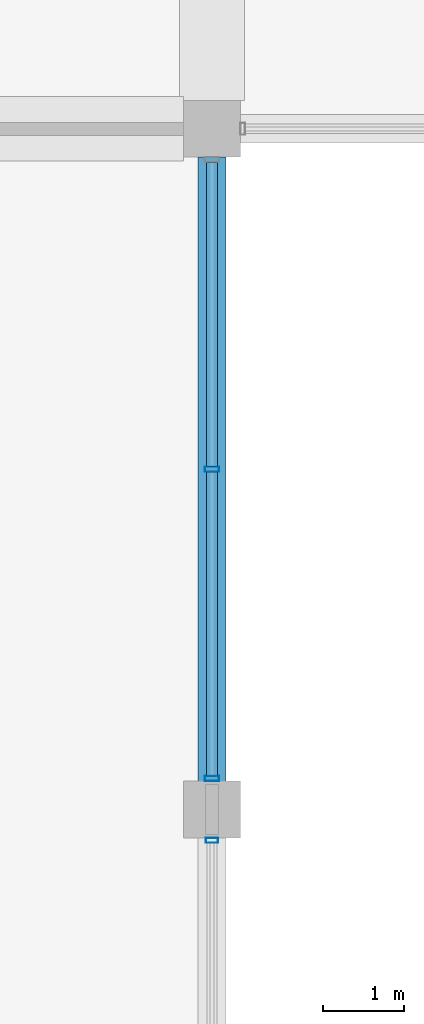
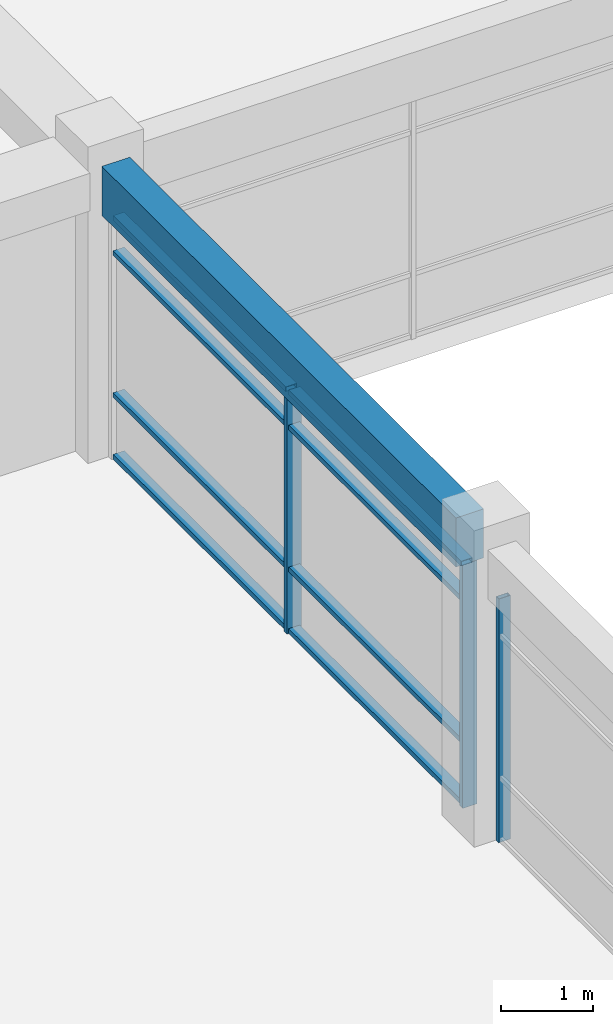
# One storey, part 9 of 53: 11 members, 1 beam, 2 elements without a shape of their own.
"""IFC4 building model written with IfcOpenShell, lengths in metres."""

import ifcopenshell
import ifcopenshell.guid

model = None  # the IFC model being written
_history = None  # IfcOwnerHistory: only IFC2X3 demands one
_inside = {}  # id of a spatial element -> (the spatial element, [elements in it])
_under = {}  # id of a project, library or spatial element -> (it, [spatial elements below it])
_declared = {}  # id of a project -> (the project, [libraries it declares])
_typed = {}  # id of a type object -> (the type object, [elements of that type])
_made_of = {}  # id of a material, layer set ... -> (it, [elements and type objects made of it])


def new_model(schema):
    """Start an empty IFC model of exactly this schema.

    Asked for "IFC4X3", IfcOpenShell would pick the latest addendum, in which some entities
    have other attributes; the version numbers below select the first issue.
    IFC2X3 requires an IfcOwnerHistory on every rooted entity: one is made here for all.
    """
    global model, _history
    if schema == "IFC4X3":
        model = ifcopenshell.file(schema_version=(4, 3, 0, 0))
    else:
        model = ifcopenshell.file(schema=schema)
    _inside.clear()
    _under.clear()
    _declared.clear()
    _typed.clear()
    _made_of.clear()
    _history = None
    if model.schema == "IFC2X3":
        org = make("IfcOrganization", Name="unknown")
        user = make(
            "IfcPersonAndOrganization",
            ThePerson=make("IfcPerson", FamilyName="unknown"),
            TheOrganization=org,
        )
        app = make(
            "IfcApplication",
            ApplicationDeveloper=org,
            Version="unknown",
            ApplicationFullName="unknown",
            ApplicationIdentifier="unknown",
        )
        _history = make(
            "IfcOwnerHistory",
            OwningUser=user,
            OwningApplication=app,
            ChangeAction="ADDED",
            CreationDate=0,
        )
    return model


def make(cls, **values):
    """One entity of the class cls with the attributes given. An attribute that is None is left unset."""
    return model.create_entity(
        cls, **{name: value for name, value in values.items() if value is not None}
    )


def rooted(cls, **values):
    """An entity with a GlobalId (a new one), such as an element, a storey or a relation."""
    return make(cls, GlobalId=ifcopenshell.guid.new(), OwnerHistory=_history, **values)


def si_unit(unit_type, name, prefix=None):
    """IfcSIUnit, for example si_unit("LENGTHUNIT", "METRE", prefix="MILLI")."""
    return make("IfcSIUnit", UnitType=unit_type, Prefix=prefix, Name=name)


def assignment(units):
    """IfcUnitAssignment: the units of a project."""
    return None if units is None else make("IfcUnitAssignment", Units=units)


def point(xyz):
    """IfcCartesianPoint."""
    return None if xyz is None else make("IfcCartesianPoint", Coordinates=xyz)


def direction(xyz):
    """IfcDirection."""
    return None if xyz is None else make("IfcDirection", DirectionRatios=xyz)


def frame(location, z_axis=None, x_axis=None):
    """IfcAxis2Placement3D, a coordinate frame: its origin and axes. An axis left out is left unset."""
    return make(
        "IfcAxis2Placement3D",
        Location=point(location),
        Axis=direction(z_axis),
        RefDirection=direction(x_axis),
    )


def frame_2d(location, x_axis=None):
    """IfcAxis2Placement2D, a coordinate frame in the plane: its origin and x axis."""
    return make(
        "IfcAxis2Placement2D", Location=point(location), RefDirection=direction(x_axis)
    )


def origin():
    """The frame at (0, 0, 0) with its axes left unset."""
    return frame((0.0, 0.0, 0.0))


def origin_2d():
    """The frame at (0, 0) in the plane with its x axis left unset."""
    return frame_2d((0.0, 0.0))


def place(relative_to, where):
    """IfcLocalPlacement: puts the frame where relative to a parent placement (None: the world)."""
    return make(
        "IfcLocalPlacement", PlacementRelTo=relative_to, RelativePlacement=where
    )


def context(
    kind, dimensions, precision=None, world=None, true_north=None, identifier=None
):
    """IfcGeometricRepresentationContext, for example the 3D "Model" context."""
    return make(
        "IfcGeometricRepresentationContext",
        ContextIdentifier=identifier,
        ContextType=kind,
        CoordinateSpaceDimension=dimensions,
        Precision=precision,
        WorldCoordinateSystem=world,
        TrueNorth=true_north,
    )


def subcontext(parent, identifier, kind, view, scale=None):
    """IfcGeometricRepresentationSubContext, for example "Body" below "Model"."""
    return make(
        "IfcGeometricRepresentationSubContext",
        ContextIdentifier=identifier,
        ContextType=kind,
        ParentContext=parent,
        TargetScale=scale,
        TargetView=view,
    )


def project(units=None, contexts=None):
    """IfcProject with its units and contexts."""
    return rooted(
        "IfcProject",
        Name="project",
        RepresentationContexts=contexts,
        UnitsInContext=assignment(units),
    )


def spatial(cls, under=None, at=None, **own):
    """A site, building, storey or space (cls), placed at a placement, below another one or the project."""
    s = rooted(cls, ObjectPlacement=at, **own)
    if under is not None:
        _under.setdefault(under.id(), (under, []))[1].append(s)
    return s


def profile(cls, at=None, kind="AREA", **sizes):
    """A parametric profile (cls). Its sizes go by their IFC names, for example OverallWidth=200.0."""
    return make(cls, ProfileType=kind, Position=at, **sizes)


def rectangle(**sizes):
    """IfcRectangleProfileDef."""
    return profile("IfcRectangleProfileDef", **sizes)


def hollow_rectangle(**sizes):
    """IfcRectangleHollowProfileDef."""
    return profile("IfcRectangleHollowProfileDef", **sizes)


def extrude(swept, where, along, depth):
    """IfcExtrudedAreaSolid: the profile swept, set in the frame where, extruded along a direction by depth."""
    return make(
        "IfcExtrudedAreaSolid",
        SweptArea=swept,
        Position=where,
        ExtrudedDirection=direction(along),
        Depth=depth,
    )


def shape(context_of_items, identifier, shape_type, items):
    """IfcShapeRepresentation: the items that make up one representation, for example the "Body"."""
    return make(
        "IfcShapeRepresentation",
        ContextOfItems=context_of_items,
        RepresentationIdentifier=identifier,
        RepresentationType=shape_type,
        Items=items,
    )


def material(Name=None, Category=None):
    """IfcMaterial."""
    return make("IfcMaterial", Name=Name, Category=Category)


def material_profile(
    of_material, cross_section, Name=None, Category=None, Priority=None
):
    """IfcMaterialProfile: a cross section and its material."""
    return make(
        "IfcMaterialProfile",
        Name=Name,
        Material=of_material,
        Profile=cross_section,
        Priority=Priority,
        Category=Category,
    )


def profile_set(profiles, Name=None, composite=None):
    """IfcMaterialProfileSet."""
    return make(
        "IfcMaterialProfileSet",
        Name=Name,
        MaterialProfiles=profiles,
        CompositeProfile=composite,
    )


def made_of(thing, what):
    """Note that an element or type object is made of a material, layer set ...; save() writes the relation."""
    if what is not None:
        _made_of.setdefault(what.id(), (what, []))[1].append(thing)
    return thing


def type_object(cls, material=None, **own):
    """A type object (cls), such as IfcWallType, which elements share."""
    return made_of(rooted(cls, **own), material)


def element(
    cls,
    number,
    at=None,
    inside=None,
    cuts=None,
    type_object=None,
    material=None,
    context=None,
    identifier="Body",
    shape_type=None,
    held_by="IfcProductDefinitionShape",
    body=None,
    shapes=None,
    **own,
):
    """One element of the class cls, such as IfcWall. Its Tag is "e" and its number.

    at: its placement. inside: the storey or other place that contains it. cuts: it is an
    opening in that element (IfcRelVoidsElement). A single representation is given by context,
    identifier, shape_type and body (its items); several are given by shapes. held_by: the class
    of the entity that holds the representations. save() writes the other relations.
    """
    e = rooted(cls, Tag="e%d" % number, ObjectPlacement=at, **own)
    if body is not None:
        shapes = [shape(context, identifier, shape_type, body)]
    if shapes is not None:
        e.Representation = make(held_by, Representations=shapes)
    if inside is not None:
        _inside.setdefault(inside.id(), (inside, []))[1].append(e)
    if cuts is not None:
        rooted(
            "IfcRelVoidsElement", RelatingBuildingElement=cuts, RelatedOpeningElement=e
        )
    if type_object is not None:
        _typed.setdefault(type_object.id(), (type_object, []))[1].append(e)
    return made_of(e, material)


def aggregate(whole, parts):
    """IfcRelAggregates: a whole, such as a stair, and the parts it consists of."""
    return rooted("IfcRelAggregates", RelatingObject=whole, RelatedObjects=parts)


def save(model, path):
    """Write the relations noted so far, then the file.

    IfcRelAggregates (storeys below a building ...), IfcRelContainedInSpatialStructure (elements
    in a storey), IfcRelDefinesByType, IfcRelAssociatesMaterial and IfcRelDeclares: one each for
    every whole, place, type object, material and project.
    """
    for whole, parts in _under.values():
        aggregate(whole, parts)
    for where, things in _inside.values():
        rooted(
            "IfcRelContainedInSpatialStructure",
            RelatedElements=things,
            RelatingStructure=where,
        )
    for kind, things in _typed.values():
        rooted("IfcRelDefinesByType", RelatedObjects=things, RelatingType=kind)
    for what, things in _made_of.values():
        rooted("IfcRelAssociatesMaterial", RelatedObjects=things, RelatingMaterial=what)
    for by, libraries in _declared.values():
        rooted("IfcRelDeclares", RelatingContext=by, RelatedDefinitions=libraries)
    model.write(path)


model = new_model("IFC4")

# Units and contexts
model_context = context("Model", 3, precision=1e-05, world=origin(), true_north=direction((0.0, 1.0)))
body_context = subcontext(model_context, "Body", "Model", "MODEL_VIEW")
ifc_project = project(units=[si_unit("LENGTHUNIT", "METRE"), si_unit("AREAUNIT", "SQUARE_METRE"), si_unit("VOLUMEUNIT", "CUBIC_METRE"), si_unit("PLANEANGLEUNIT", "RADIAN"), si_unit("MASSUNIT", "GRAM", prefix="KILO"), si_unit("THERMODYNAMICTEMPERATUREUNIT", "KELVIN"), si_unit("POWERUNIT", "WATT")], contexts=[model_context])

# Site, building, storey
site_placement = place(None, origin())
site = spatial("IfcSite", under=ifc_project, at=site_placement, CompositionType="ELEMENT")
building_placement = place(site_placement, origin())
building = spatial("IfcBuilding", under=site, at=building_placement, Name="Srebrne Nadtorze General Hospital", CompositionType="ELEMENT")
storey_placement = place(building_placement, frame((0.0, 0.0, 18.0)))
storey = spatial("IfcBuildingStorey", under=building, at=storey_placement, Name="L04", CompositionType="ELEMENT", Elevation=18.0)

# Curtain wall, member
ifc_material_1 = material(Name="Anodised Aluminium", Category="aluminium")
curtain_wall_type = type_object("IfcCurtainWallType", Name="Unitised curtain wall 7700x3235", PredefinedType="NOTDEFINED", material=ifc_material_1)
curtain_wall_1_placement = place(storey_placement, origin())
curtain_wall_1 = element("IfcCurtainWall", 1, at=curtain_wall_1_placement, inside=storey, type_object=curtain_wall_type, Name="Curtain wall CW-110", PredefinedType="NOTDEFINED")
ifc_material_2 = material(Name="Anodised Aluminium", Category="aluminium")
ifc_material_profile_1 = material_profile(ifc_material_2, hollow_rectangle(XDim=0.06005859375, YDim=0.14990234375, WallThickness=0.00390625, at=origin_2d()), Name="AL-MUL-60x150")
ifc_profile_set_1 = profile_set([ifc_material_profile_1], Name="Anodised Aluminium")
member_type_1 = type_object("IfcMemberType", Name="Curtain mullion 60x150", PredefinedType="MULLION", material=ifc_profile_set_1)
member_1_placement = place(storey_placement, frame((117.0, 16.419921875, 0.0), z_axis=(0.0, 0.0, 1.0), x_axis=(0.0, 1.0, 0.0)))
member_1 = element("IfcMember", 2, at=member_1_placement, type_object=member_type_1, Name="CW-110 mullion 3", PredefinedType="MULLION", context=body_context, shape_type="SweptSolid", body=[
    extrude(hollow_rectangle(XDim=0.06005859375, YDim=0.14990234375, WallThickness=0.00390625, at=origin_2d()), origin(), (0.0, 0.0, 1.0), 3.235107421875),
])
aggregate(curtain_wall_1, [member_1])

# Curtain wall, members
curtain_wall_2_placement = place(storey_placement, origin())
curtain_wall_2 = element("IfcCurtainWall", 3, at=curtain_wall_2_placement, inside=storey, type_object=curtain_wall_type, Name="Curtain wall CW-111", PredefinedType="NOTDEFINED")
ifc_material_3 = material(Name="Anodised Aluminium", Category="aluminium")
ifc_material_profile_2 = material_profile(ifc_material_3, hollow_rectangle(XDim=0.06494140625, YDim=0.179931640625, WallThickness=0.00390625, at=origin_2d()), Name="AL-MUL-65x180")
ifc_profile_set_2 = profile_set([ifc_material_profile_2], Name="Anodised Aluminium")
member_type_2 = type_object("IfcMemberType", Name="Curtain mullion 65x180", PredefinedType="MULLION", material=ifc_profile_set_2)
member_2_placement = place(storey_placement, frame((117.0, 17.1826171875, 0.0), z_axis=(0.0, 0.0, 1.0), x_axis=(0.0, 1.0, 0.0)))
member_2 = element("IfcMember", 4, at=member_2_placement, type_object=member_type_2, Name="CW-111 mullion 1", PredefinedType="MULLION", context=body_context, shape_type="SweptSolid", body=[
    extrude(hollow_rectangle(XDim=0.06494140625, YDim=0.179931640625, WallThickness=0.00390625, at=origin_2d()), origin(), (0.0, 0.0, 1.0), 3.235107421875),
])
member_3_placement = place(storey_placement, frame((117.0, 21.0, 0.0), z_axis=(0.0, 0.0, 1.0), x_axis=(0.0, 1.0, 0.0)))
member_3 = element("IfcMember", 5, at=member_3_placement, type_object=member_type_2, Name="CW-111 mullion 2", PredefinedType="MULLION", context=body_context, shape_type="SweptSolid", body=[
    extrude(hollow_rectangle(XDim=0.06494140625, YDim=0.179931640625, WallThickness=0.00390625, at=origin_2d()), origin(), (0.0, 0.0, 1.0), 3.235107421875),
])
ifc_material_4 = material(Name="Anodised Aluminium", Category="aluminium")
ifc_material_profile_3 = material_profile(ifc_material_4, hollow_rectangle(XDim=0.06494140625, YDim=0.139892578125, WallThickness=0.00390625, at=origin_2d()), Name="AL-TRN-65x140")
ifc_profile_set_3 = profile_set([ifc_material_profile_3], Name="Anodised Aluminium")
member_type_3 = type_object("IfcMemberType", Name="Curtain transom 65x140", PredefinedType="USERDEFINED", material=ifc_profile_set_3)
member_4_placement = place(storey_placement, frame((117.0, 17.215087890625, 0.032470703125), z_axis=(0.0, 1.0, 0.0), x_axis=(0.0, 0.0, 1.0)))
member_4 = element("IfcMember", 6, at=member_4_placement, type_object=member_type_3, Name="CW-111 transom 1.1", ObjectType="TRANSOM", PredefinedType="USERDEFINED", context=body_context, shape_type="SweptSolid", body=[
    extrude(hollow_rectangle(XDim=0.06494140625, YDim=0.139892578125, WallThickness=0.00390625, at=origin_2d()), origin(), (0.0, 0.0, 1.0), 3.75244140625),
])
member_5_placement = place(storey_placement, frame((117.0, 17.215087890625, 0.85009765625), z_axis=(0.0, 1.0, 0.0), x_axis=(0.0, 0.0, 1.0)))
member_5 = element("IfcMember", 7, at=member_5_placement, type_object=member_type_3, Name="CW-111 transom 1.2", ObjectType="TRANSOM", PredefinedType="USERDEFINED", context=body_context, shape_type="SweptSolid", body=[
    extrude(hollow_rectangle(XDim=0.06494140625, YDim=0.139892578125, WallThickness=0.00390625, at=origin_2d()), origin(), (0.0, 0.0, 1.0), 3.75244140625),
])
member_6_placement = place(storey_placement, frame((117.0, 17.215087890625, 2.735107421875), z_axis=(0.0, 1.0, 0.0), x_axis=(0.0, 0.0, 1.0)))
member_6 = element("IfcMember", 8, at=member_6_placement, type_object=member_type_3, Name="CW-111 transom 1.3", ObjectType="TRANSOM", PredefinedType="USERDEFINED", context=body_context, shape_type="SweptSolid", body=[
    extrude(hollow_rectangle(XDim=0.06494140625, YDim=0.139892578125, WallThickness=0.00390625, at=origin_2d()), origin(), (0.0, 0.0, 1.0), 3.75244140625),
])
member_7_placement = place(storey_placement, frame((117.0, 17.215087890625, 3.202392578125), z_axis=(0.0, 1.0, 0.0), x_axis=(0.0, 0.0, 1.0)))
member_7 = element("IfcMember", 9, at=member_7_placement, type_object=member_type_3, Name="CW-111 transom 1.4", ObjectType="TRANSOM", PredefinedType="USERDEFINED", context=body_context, shape_type="SweptSolid", body=[
    extrude(hollow_rectangle(XDim=0.06494140625, YDim=0.139892578125, WallThickness=0.00390625, at=origin_2d()), origin(), (0.0, 0.0, 1.0), 3.75244140625),
])
member_8_placement = place(storey_placement, frame((117.0, 21.032470703125, 0.032470703125), z_axis=(0.0, 1.0, 0.0), x_axis=(0.0, 0.0, 1.0)))
member_8 = element("IfcMember", 10, at=member_8_placement, type_object=member_type_3, Name="CW-111 transom 2.1", ObjectType="TRANSOM", PredefinedType="USERDEFINED", context=body_context, shape_type="SweptSolid", body=[
    extrude(hollow_rectangle(XDim=0.06494140625, YDim=0.139892578125, WallThickness=0.00390625, at=origin_2d()), origin(), (0.0, 0.0, 1.0), 3.75244140625),
])
member_9_placement = place(storey_placement, frame((117.0, 21.032470703125, 0.85009765625), z_axis=(0.0, 1.0, 0.0), x_axis=(0.0, 0.0, 1.0)))
member_9 = element("IfcMember", 11, at=member_9_placement, type_object=member_type_3, Name="CW-111 transom 2.2", ObjectType="TRANSOM", PredefinedType="USERDEFINED", context=body_context, shape_type="SweptSolid", body=[
    extrude(hollow_rectangle(XDim=0.06494140625, YDim=0.139892578125, WallThickness=0.00390625, at=origin_2d()), origin(), (0.0, 0.0, 1.0), 3.75244140625),
])
member_10_placement = place(storey_placement, frame((117.0, 21.032470703125, 2.735107421875), z_axis=(0.0, 1.0, 0.0), x_axis=(0.0, 0.0, 1.0)))
member_10 = element("IfcMember", 12, at=member_10_placement, type_object=member_type_3, Name="CW-111 transom 2.3", ObjectType="TRANSOM", PredefinedType="USERDEFINED", context=body_context, shape_type="SweptSolid", body=[
    extrude(hollow_rectangle(XDim=0.06494140625, YDim=0.139892578125, WallThickness=0.00390625, at=origin_2d()), origin(), (0.0, 0.0, 1.0), 3.75244140625),
])
member_11_placement = place(storey_placement, frame((117.0, 21.032470703125, 3.202392578125), z_axis=(0.0, 1.0, 0.0), x_axis=(0.0, 0.0, 1.0)))
member_11 = element("IfcMember", 13, at=member_11_placement, type_object=member_type_3, Name="CW-111 transom 2.4", ObjectType="TRANSOM", PredefinedType="USERDEFINED", context=body_context, shape_type="SweptSolid", body=[
    extrude(hollow_rectangle(XDim=0.06494140625, YDim=0.139892578125, WallThickness=0.00390625, at=origin_2d()), origin(), (0.0, 0.0, 1.0), 3.75244140625),
])
aggregate(curtain_wall_2, [member_2, member_3, member_4, member_5, member_6, member_7, member_8, member_9, member_10, member_11])

# Beam
ifc_material_5 = material(Name="Concrete C35/45", Category="concrete")
ifc_material_profile_4 = material_profile(ifc_material_5, rectangle(XDim=0.35009765625, YDim=0.64990234375, at=origin_2d()), Name="RC-BM-350x650")
ifc_profile_set_4 = profile_set([ifc_material_profile_4], Name="Concrete C35/45")
beam_type = type_object("IfcBeamType", Name="Edge beam RC 350x650", PredefinedType="BEAM", material=ifc_profile_set_4)
beam_placement = place(storey_placement, frame((117.0, 17.14990234375, 3.56005859375), z_axis=(0.0, 1.0, 0.0), x_axis=(-1.0, 0.0, 0.0)))
element("IfcBeam", 14, at=beam_placement, inside=storey, type_object=beam_type, Name="Beam BM-L04-Y-0965", PredefinedType="BEAM", context=body_context, shape_type="SweptSolid", body=[
    extrude(rectangle(XDim=0.35009765625, YDim=0.64990234375, at=origin_2d()), origin(), (0.0, 0.0, 1.0), 7.7001953125),
])

save(model, "model.ifc")
